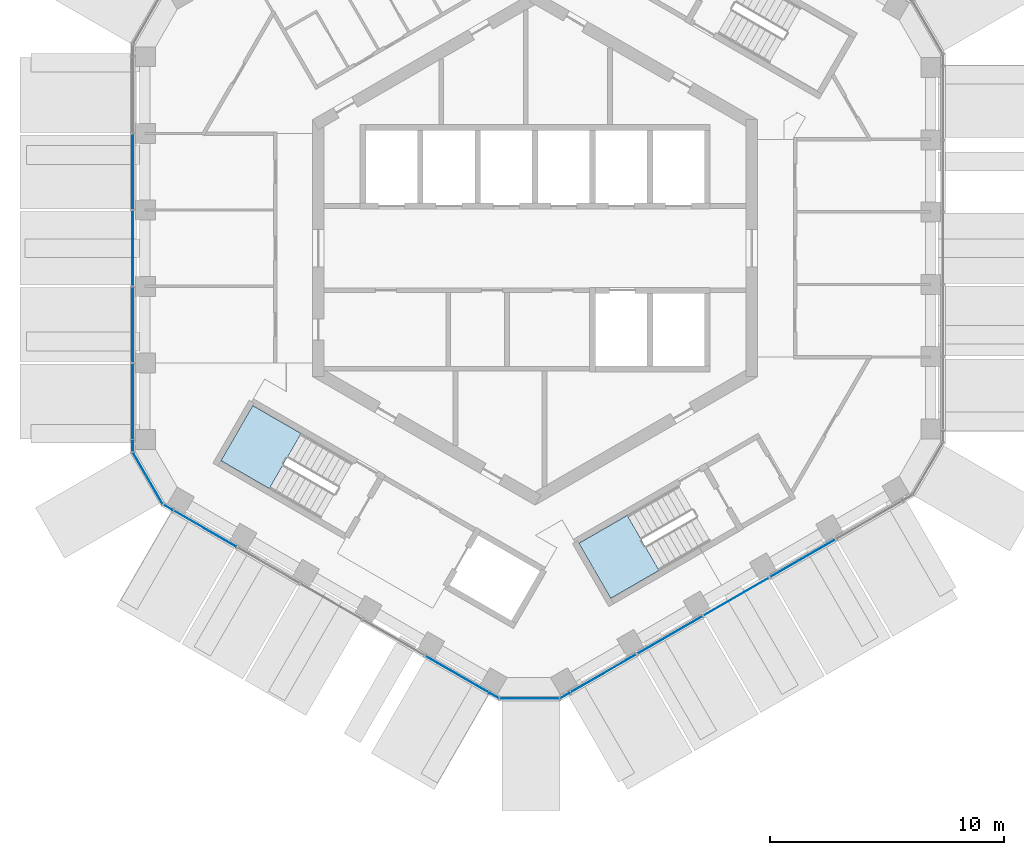
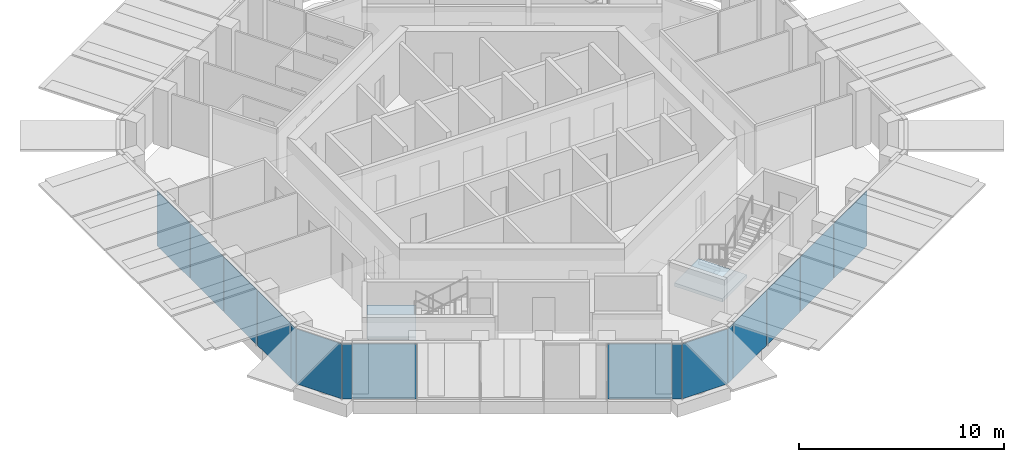
# One storey, part 7 of 17: 16 plates, 2 slabs, 7 elements without a shape of their own.
"""IFC4 building model written with IfcOpenShell, lengths in metres."""

from ifc_helpers import new_model, si_unit, direction, frame, origin, origin_2d, place, context, subcontext, project, spatial, polyline, rectangle, outline, extrude, material, layer, layer_set, type_object, element, aggregate, save


model = new_model("IFC4")

# Units and contexts
model_context = context("Model", 3, precision=1e-05, world=origin(), true_north=direction((0.0, 1.0)))
body_context = subcontext(model_context, "Body", "Model", "MODEL_VIEW")
ifc_project = project(units=[si_unit("LENGTHUNIT", "METRE"), si_unit("AREAUNIT", "SQUARE_METRE"), si_unit("VOLUMEUNIT", "CUBIC_METRE"), si_unit("PLANEANGLEUNIT", "RADIAN"), si_unit("MASSUNIT", "GRAM", prefix="KILO")], contexts=[model_context])

# Site, building, storey
site_placement = place(None, origin())
site = spatial("IfcSite", under=ifc_project, at=site_placement, CompositionType="ELEMENT")
building_placement = place(site_placement, origin())
building = spatial("IfcBuilding", under=site, at=building_placement, Name="Ayvan Gate Tower", CompositionType="ELEMENT")
storey_placement = place(building_placement, frame((0.0, 0.0, 232.5)))
storey = spatial("IfcBuildingStorey", under=building, at=storey_placement, Name="L62", CompositionType="ELEMENT", Elevation=232.5)

# Stair, slab
ifc_material_1 = material(Name="Concrete C40/50", Category="concrete")
stair_type = type_object("IfcStairType", Name="ST-EXIT", PredefinedType="HALF_TURN_STAIR", material=ifc_material_1)
stair_1_placement = place(storey_placement, origin())
stair_1 = element("IfcStair", 1, at=stair_1_placement, inside=storey, type_object=stair_type, Name="L62 Exit Stair S2", PredefinedType="HALF_TURN_STAIR")
ifc_layer_1 = layer(ifc_material_1, 0.199951171875)
ifc_layer_set_1 = layer_set([ifc_layer_1], Name="Concrete C40/50")
slab_type = type_object("IfcSlabType", Name="SL-LANDING-200", PredefinedType="LANDING", material=ifc_layer_set_1)
slab_1_placement = place(storey_placement, frame((0.0, 0.0, 1.5)))
slab_1 = element("IfcSlab", 2, at=slab_1_placement, type_object=slab_type, Name="STS2 landing 1", PredefinedType="LANDING", context=body_context, shape_type="SweptSolid", body=[
    extrude(outline(polyline([(-9.988525390625, -7.91064453125), (-12.049560546875, -6.720458984375), (-13.404541015625, -9.0673828125), (-11.343505859375, -10.257568359375), (-9.988525390625, -7.91064453125)])), origin(), (0.0, 0.0, 1.0), 0.199951171875),
])
aggregate(stair_1, [slab_1])

stair_2_placement = place(storey_placement, origin())
stair_2 = element("IfcStair", 3, at=stair_2_placement, inside=storey, type_object=stair_type, Name="L62 Exit Stair S3", PredefinedType="HALF_TURN_STAIR")
slab_2_placement = place(storey_placement, frame((0.0, 0.0, 1.5)))
slab_2 = element("IfcSlab", 4, at=slab_2_placement, type_object=slab_type, Name="STS3 landing 1", PredefinedType="LANDING", context=body_context, shape_type="SweptSolid", body=[
    extrude(outline(polyline([(3.93505859375, -11.405517578125), (1.873779296875, -12.595458984375), (3.228759765625, -14.9423828125), (5.2900390625, -13.75244140625), (3.93505859375, -11.405517578125)])), origin(), (0.0, 0.0, 1.0), 0.199951171875),
])
aggregate(stair_2, [slab_2])

# Curtain wall, plates
ifc_material_2 = material(Name="Bronze anodised aluminium", Category="aluminium")
ifc_layer_2 = layer(ifc_material_2, 0.199951171875)
ifc_layer_set_2 = layer_set([ifc_layer_2], Name="Bronze anodised aluminium")
curtain_wall_type_1 = type_object("IfcCurtainWallType", Name="Stick curtain wall CW-2", PredefinedType="NOTDEFINED", material=ifc_layer_set_2)
curtain_wall_1_placement = place(storey_placement, origin())
curtain_wall_1 = element("IfcCurtainWall", 5, at=curtain_wall_1_placement, inside=storey, type_object=curtain_wall_type_1, Name="Stick curtain wall CW-2 L62", PredefinedType="NOTDEFINED")
ifc_material_3 = material(Name="Clear low-iron laminated glass", Category="glass")
ifc_layer_3 = layer(ifc_material_3, 0.028076171875)
ifc_layer_set_3 = layer_set([ifc_layer_3], Name="Clear low-iron laminated glass")
plate_type_1 = type_object("IfcPlateType", Name="Stick curtain wall CW-2 glass panel", PredefinedType="CURTAIN_PANEL", material=ifc_layer_set_3)
plate_1_placement = place(storey_placement, frame((-17.175048828125, 3.2685546875, 0.0), z_axis=(0.0, 0.0, 1.0), x_axis=(0.0, -1.0, 0.0)))
plate_1 = element("IfcPlate", 6, at=plate_1_placement, type_object=plate_type_1, Name="CW-2 glass panel 2", PredefinedType="CURTAIN_PANEL", context=body_context, shape_type="SweptSolid", body=[
    extrude(rectangle(XDim=3.198974609375, YDim=0.028076171875, at=origin_2d()), origin(), (0.0, 0.0, 1.0), 3.280029296875),
])
plate_2_placement = place(storey_placement, frame((-17.175048828125, -0.00048828125, 0.0), z_axis=(0.0, 0.0, 1.0), x_axis=(0.0, -1.0, 0.0)))
plate_2 = element("IfcPlate", 7, at=plate_2_placement, type_object=plate_type_1, Name="CW-2 glass panel 3", PredefinedType="CURTAIN_PANEL", context=body_context, shape_type="SweptSolid", body=[
    extrude(rectangle(XDim=3.198974609375, YDim=0.028076171875, at=origin_2d()), origin(), (0.0, 0.0, 1.0), 3.280029296875),
])
plate_3_placement = place(storey_placement, frame((-17.175048828125, -3.268798828125, 0.0), z_axis=(0.0, 0.0, 1.0), x_axis=(0.0, -1.0, 0.0)))
plate_3 = element("IfcPlate", 8, at=plate_3_placement, type_object=plate_type_1, Name="CW-2 glass panel 4", PredefinedType="CURTAIN_PANEL", context=body_context, shape_type="SweptSolid", body=[
    extrude(rectangle(XDim=3.197998046875, YDim=0.028076171875, at=origin_2d()), origin(), (0.0, 0.0, 1.0), 3.280029296875),
])
plate_4_placement = place(storey_placement, frame((-17.175048828125, -6.5634765625, 0.0), z_axis=(0.0, 0.0, 1.0), x_axis=(0.0, -1.0, 0.0)))
plate_4 = element("IfcPlate", 9, at=plate_4_placement, type_object=plate_type_1, Name="CW-2 glass panel 5", PredefinedType="CURTAIN_PANEL", context=body_context, shape_type="SweptSolid", body=[
    extrude(rectangle(XDim=3.251220703125, YDim=0.028076171875, at=origin_2d()), origin(), (0.0, 0.0, 1.0), 3.280029296875),
])
aggregate(curtain_wall_1, [plate_1, plate_2, plate_3, plate_4])

curtain_wall_2_placement = place(storey_placement, origin())
curtain_wall_2 = element("IfcCurtainWall", 10, at=curtain_wall_2_placement, inside=storey, type_object=curtain_wall_type_1, Name="Stick curtain wall CW-2 L62", PredefinedType="NOTDEFINED")
plate_5_placement = place(storey_placement, frame((-14.092529296875, -11.969970703125, 0.0), z_axis=(0.0, 0.0, 1.0), x_axis=(0.866025403784, -0.5, 0.0)))
plate_5 = element("IfcPlate", 11, at=plate_5_placement, type_object=plate_type_1, Name="CW-2 glass panel 1", PredefinedType="CURTAIN_PANEL", context=body_context, shape_type="SweptSolid", body=[
    extrude(rectangle(XDim=3.116943359375, YDim=0.028076171875, at=origin_2d()), origin(), (0.0, 0.0, 1.0), 3.280029296875),
])
plate_6_placement = place(storey_placement, frame((-3.320068359375, -18.189453125, 0.0), z_axis=(0.0, 0.0, 1.0), x_axis=(0.866025403784, -0.5, 0.0)))
plate_6 = element("IfcPlate", 12, at=plate_6_placement, type_object=plate_type_1, Name="CW-2 glass panel 5", PredefinedType="CURTAIN_PANEL", context=body_context, shape_type="SweptSolid", body=[
    extrude(rectangle(XDim=3.116943359375, YDim=0.028076171875, at=origin_2d()), origin(), (0.0, 0.0, 1.0), 3.280029296875),
])
aggregate(curtain_wall_2, [plate_5, plate_6])

curtain_wall_3_placement = place(storey_placement, origin())
curtain_wall_3 = element("IfcCurtainWall", 13, at=curtain_wall_3_placement, inside=storey, type_object=curtain_wall_type_1, Name="Stick curtain wall CW-2 L62", PredefinedType="NOTDEFINED")
plate_7_placement = place(storey_placement, frame((2.9033203125, -18.156005859375, 0.0), z_axis=(0.0, 0.0, 1.0), x_axis=(0.866025403784, 0.5, 0.0)))
plate_7 = element("IfcPlate", 14, at=plate_7_placement, type_object=plate_type_1, Name="CW-2 glass panel 1", PredefinedType="CURTAIN_PANEL", context=body_context, shape_type="SweptSolid", body=[
    extrude(rectangle(XDim=3.2509765625, YDim=0.028076171875, at=origin_2d()), origin(), (0.0, 0.0, 1.0), 3.280029296875),
])
plate_8_placement = place(storey_placement, frame((5.7568359375, -16.50830078125, 0.0), z_axis=(0.0, 0.0, 1.0), x_axis=(0.866025403784, 0.5, 0.0)))
plate_8 = element("IfcPlate", 15, at=plate_8_placement, type_object=plate_type_1, Name="CW-2 glass panel 2", PredefinedType="CURTAIN_PANEL", context=body_context, shape_type="SweptSolid", body=[
    extrude(rectangle(XDim=3.198974609375, YDim=0.028076171875, at=origin_2d()), origin(), (0.0, 0.0, 1.0), 3.280029296875),
])
plate_9_placement = place(storey_placement, frame((8.587890625, -14.873779296875, 0.0), z_axis=(0.0, 0.0, 1.0), x_axis=(0.866025403784, 0.5, 0.0)))
plate_9 = element("IfcPlate", 16, at=plate_9_placement, type_object=plate_type_1, Name="CW-2 glass panel 3", PredefinedType="CURTAIN_PANEL", context=body_context, shape_type="SweptSolid", body=[
    extrude(rectangle(XDim=3.198974609375, YDim=0.028076171875, at=origin_2d()), origin(), (0.0, 0.0, 1.0), 3.280029296875),
])
plate_10_placement = place(storey_placement, frame((11.41845703125, -13.23974609375, 0.0), z_axis=(0.0, 0.0, 1.0), x_axis=(0.866025403784, 0.5, 0.0)))
plate_10 = element("IfcPlate", 17, at=plate_10_placement, type_object=plate_type_1, Name="CW-2 glass panel 4", PredefinedType="CURTAIN_PANEL", context=body_context, shape_type="SweptSolid", body=[
    extrude(rectangle(XDim=3.197998046875, YDim=0.028076171875, at=origin_2d()), origin(), (0.0, 0.0, 1.0), 3.280029296875),
])
aggregate(curtain_wall_3, [plate_7, plate_8, plate_9, plate_10])

ifc_layer_4 = layer(ifc_material_2, 0.199951171875)
ifc_layer_set_4 = layer_set([ifc_layer_4], Name="Bronze anodised aluminium")
curtain_wall_type_2 = type_object("IfcCurtainWallType", Name="Stick curtain wall CW-6", PredefinedType="NOTDEFINED", material=ifc_layer_set_4)
curtain_wall_4_placement = place(storey_placement, origin())
curtain_wall_4 = element("IfcCurtainWall", 18, at=curtain_wall_4_placement, inside=storey, type_object=curtain_wall_type_2, Name="Stick curtain wall CW-6 L62", PredefinedType="NOTDEFINED")
ifc_layer_5 = layer(ifc_material_3, 0.028076171875)
ifc_layer_set_5 = layer_set([ifc_layer_5], Name="Clear low-iron laminated glass")
plate_type_2 = type_object("IfcPlateType", Name="Stick curtain wall CW-6 glass panel", PredefinedType="CURTAIN_PANEL", material=ifc_layer_set_5)
plate_11_placement = place(storey_placement, frame((-17.175048828125, -8.44921875, 0.0), z_axis=(0.0, 0.0, 1.0), x_axis=(0.0, -1.0, 0.0)))
plate_11 = element("IfcPlate", 19, at=plate_11_placement, type_object=plate_type_2, Name="CW-6 glass panel 1", PredefinedType="CURTAIN_PANEL", context=body_context, shape_type="SweptSolid", body=[
    extrude(rectangle(XDim=0.449951171875, YDim=0.028076171875, at=origin_2d()), origin(), (0.0, 0.0, 1.0), 3.280029296875),
])
plate_12_placement = place(storey_placement, frame((-16.529541015625, -9.8173828125, 0.0), z_axis=(0.0, 0.0, 1.0), x_axis=(0.5, -0.866025403784, 0.0)))
plate_12 = element("IfcPlate", 20, at=plate_12_placement, type_object=plate_type_2, Name="CW-6 glass panel 2", PredefinedType="CURTAIN_PANEL", context=body_context, shape_type="SweptSolid", body=[
    extrude(rectangle(XDim=2.532470703125, YDim=0.028076171875, at=origin_2d()), origin(), (0.0, 0.0, 1.0), 3.280029296875),
])
plate_13_placement = place(storey_placement, frame((-15.667236328125, -11.060791015625, 0.0), z_axis=(0.0, 0.0, 1.0), x_axis=(0.866025403784, -0.5, 0.0)))
plate_13 = element("IfcPlate", 21, at=plate_13_placement, type_object=plate_type_2, Name="CW-6 glass panel 3", PredefinedType="CURTAIN_PANEL", context=body_context, shape_type="SweptSolid", body=[
    extrude(rectangle(XDim=0.449951171875, YDim=0.028076171875, at=origin_2d()), origin(), (0.0, 0.0, 1.0), 3.280029296875),
])
aggregate(curtain_wall_4, [plate_11, plate_12, plate_13])

curtain_wall_5_placement = place(storey_placement, origin())
curtain_wall_5 = element("IfcCurtainWall", 22, at=curtain_wall_5_placement, inside=storey, type_object=curtain_wall_type_2, Name="Stick curtain wall CW-6 L62", PredefinedType="NOTDEFINED")
plate_14_placement = place(storey_placement, frame((-1.7451171875, -19.0986328125, 0.0), z_axis=(0.0, 0.0, 1.0), x_axis=(0.866025403784, -0.5, 0.0)))
plate_14 = element("IfcPlate", 23, at=plate_14_placement, type_object=plate_type_2, Name="CW-6 glass panel 1", PredefinedType="CURTAIN_PANEL", context=body_context, shape_type="SweptSolid", body=[
    extrude(rectangle(XDim=0.449951171875, YDim=0.028076171875, at=origin_2d()), origin(), (0.0, 0.0, 1.0), 3.280029296875),
])
plate_15_placement = place(storey_placement, frame((-0.2373046875, -19.2236328125, 0.0), z_axis=(0.0, 0.0, 1.0), x_axis=(1.0, 0.0, 0.0)))
plate_15 = element("IfcPlate", 24, at=plate_15_placement, type_object=plate_type_2, Name="CW-6 glass panel 2", PredefinedType="CURTAIN_PANEL", context=body_context, shape_type="SweptSolid", body=[
    extrude(rectangle(XDim=2.532470703125, YDim=0.028076171875, at=origin_2d()), origin(), (0.0, 0.0, 1.0), 3.280029296875),
])
plate_16_placement = place(storey_placement, frame((1.2705078125, -19.0986328125, 0.0), z_axis=(0.0, 0.0, 1.0), x_axis=(0.866025403784, 0.5, 0.0)))
plate_16 = element("IfcPlate", 25, at=plate_16_placement, type_object=plate_type_2, Name="CW-6 glass panel 3", PredefinedType="CURTAIN_PANEL", context=body_context, shape_type="SweptSolid", body=[
    extrude(rectangle(XDim=0.449951171875, YDim=0.028076171875, at=origin_2d()), origin(), (0.0, 0.0, 1.0), 3.280029296875),
])
aggregate(curtain_wall_5, [plate_14, plate_15, plate_16])

save(model, "model.ifc")
